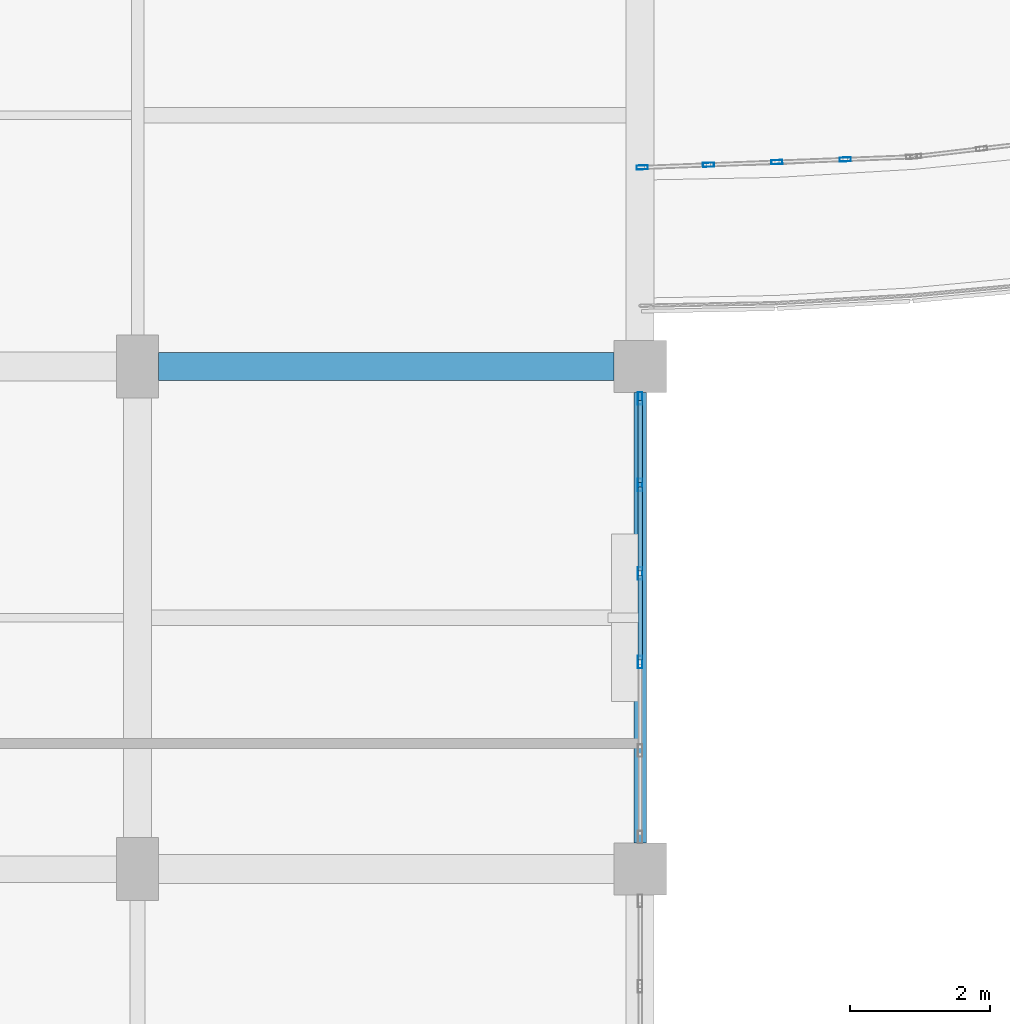
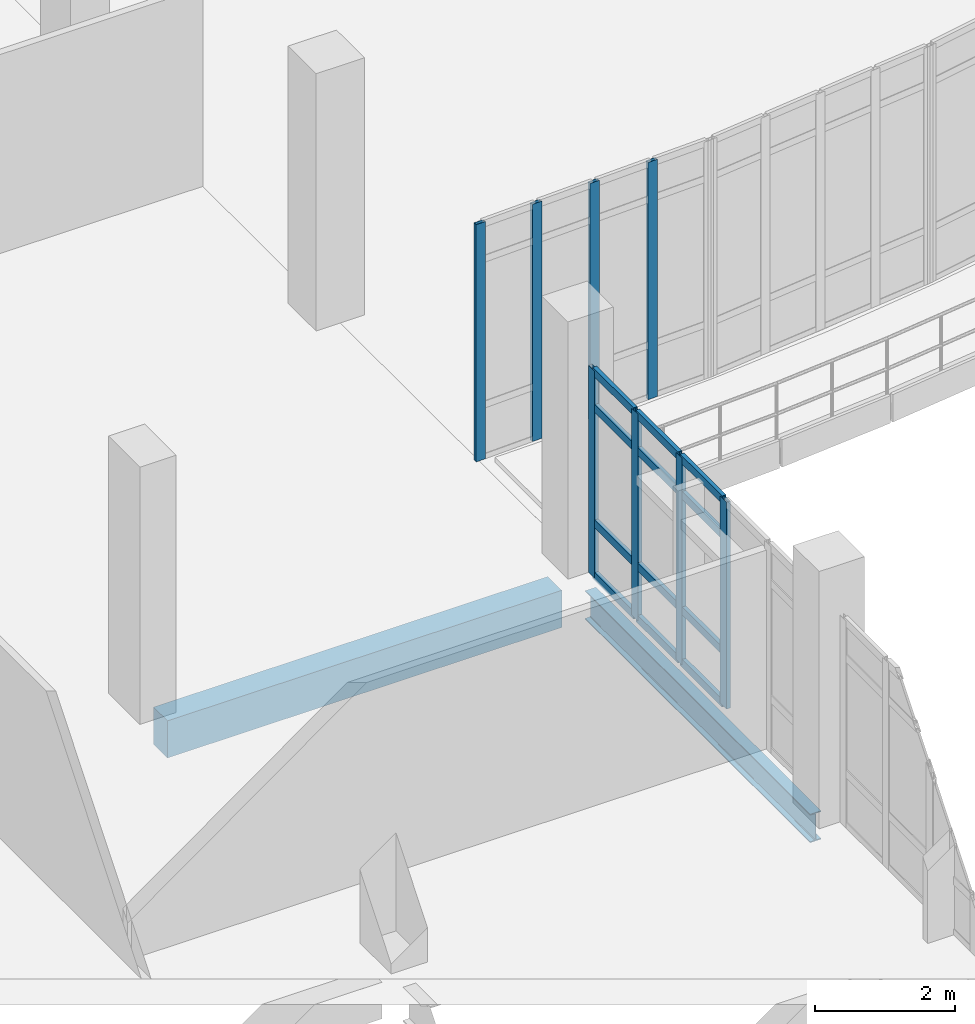
# One storey, part 21 of 134: 20 members, 2 beams, 2 elements without a shape of their own.
"""IFC4 building model written with IfcOpenShell, lengths in metres."""

from ifc_helpers import new_model, si_unit, direction, frame, origin, origin_2d, place, context, subcontext, project, spatial, rectangle, hollow_rectangle, i_section, extrude, material, material_profile, profile_set, type_object, element, aggregate, save


model = new_model("IFC4")

# Units and contexts
model_context = context("Model", 3, precision=1e-05, world=origin(), true_north=direction((0.0, 1.0)))
body_context = subcontext(model_context, "Body", "Model", "MODEL_VIEW")
ifc_project = project(units=[si_unit("LENGTHUNIT", "METRE"), si_unit("AREAUNIT", "SQUARE_METRE"), si_unit("VOLUMEUNIT", "CUBIC_METRE"), si_unit("PLANEANGLEUNIT", "RADIAN"), si_unit("MASSUNIT", "GRAM", prefix="KILO")], contexts=[model_context])

# Site, building, storey
site_placement = place(None, origin())
site = spatial("IfcSite", under=ifc_project, at=site_placement, CompositionType="ELEMENT")
building_placement = place(site_placement, origin())
building = spatial("IfcBuilding", under=site, at=building_placement, Name="Kalluvel Institute of Natural Sciences", CompositionType="ELEMENT")
storey_placement = place(building_placement, frame((0.0, 0.0, 5.39990234375)))
storey = spatial("IfcBuildingStorey", under=building, at=storey_placement, Name="L01", CompositionType="ELEMENT", Elevation=5.39990234375)

# Beams
ifc_material_1 = material(Name="Steel E350 Grade 350", Category="steel")
ifc_material_profile_1 = material_profile(ifc_material_1, i_section(OverallWidth=0.179931640625, OverallDepth=0.5, WebThickness=0.01025390625, FlangeThickness=0.01708984375, FilletRadius=0.01708984375, at=origin_2d()), Name="ISMB 500")
ifc_profile_set_1 = profile_set([ifc_material_profile_1], Name="Steel E350 Grade 350")
beam_type_1 = type_object("IfcBeamType", Name="BM-ISMB500", PredefinedType="BEAM", material=ifc_profile_set_1)
beam_1_placement = place(storey_placement, frame((35.60009765625, 43.175048828125, -0.5498046875), z_axis=(0.0, 1.0, 0.0), x_axis=(-1.0, 0.0, 0.0)))
element("IfcBeam", 1, at=beam_1_placement, inside=storey, type_object=beam_type_1, Name="L01 girder GIR-L01-NS-X356-Y428", PredefinedType="BEAM", context=body_context, shape_type="SweptSolid", body=[
    extrude(i_section(OverallWidth=0.179931640625, OverallDepth=0.5, WebThickness=0.01025390625, FlangeThickness=0.01708984375, FilletRadius=0.01708984375, at=origin_2d()), origin(), (0.0, 0.0, 1.0), 6.449951171875),
])
ifc_material_2 = material(Name="Concrete M40", Category="concrete")
ifc_material_profile_2 = material_profile(ifc_material_2, rectangle(XDim=0.39990234375, YDim=0.64990234375, at=origin_2d()), Name="RCB 400x650")
ifc_profile_set_2 = profile_set([ifc_material_profile_2], Name="Concrete M40")
beam_type_2 = type_object("IfcBeamType", Name="BM-RC400x650", PredefinedType="BEAM", material=ifc_profile_set_2)
beam_2_placement = place(storey_placement, frame((28.699951171875, 50.0, -0.625), z_axis=(1.0, 0.0, 0.0), x_axis=(0.0, 1.0, 0.0)))
element("IfcBeam", 2, at=beam_2_placement, inside=storey, type_object=beam_type_2, Name="L01 girder GIR-L01-EW-X284-Y500", PredefinedType="BEAM", context=body_context, shape_type="SweptSolid", body=[
    extrude(rectangle(XDim=0.39990234375, YDim=0.64990234375, at=origin_2d()), origin(), (0.0, 0.0, 1.0), 6.525146484375),
])

# Curtain wall, members
ifc_material_3 = material(Name="Aluminium AW-6063 T6", Category="aluminium")
curtain_wall_type_1 = type_object("IfcCurtainWallType", Name="CW-ATR-ARC", PredefinedType="USERDEFINED", material=ifc_material_3)
curtain_wall_1_placement = place(storey_placement, origin())
curtain_wall_1 = element("IfcCurtainWall", 3, at=curtain_wall_1_placement, inside=storey, type_object=curtain_wall_type_1, Name="L01 Gothic lancet curtain wall CWA-L01-X356-Y528", ObjectType="UNITISED LANCET FACADE", PredefinedType="USERDEFINED")
ifc_material_profile_3 = material_profile(ifc_material_3, hollow_rectangle(XDim=0.06005859375, YDim=0.159912109375, WallThickness=0.00390625, at=origin_2d()), Name="CWM 60x160")
ifc_profile_set_3 = profile_set([ifc_material_profile_3], Name="Aluminium AW-6063 T6")
member_type_1 = type_object("IfcMemberType", Name="CWM-60x160", PredefinedType="MULLION", material=ifc_profile_set_3)
member_1_placement = place(storey_placement, frame((35.6298828125, 52.85107421875, 0.0), z_axis=(0.0, 0.0, 1.0), x_axis=(-0.039265434438, 0.999228815466, 0.0)))
member_1 = element("IfcMember", 4, at=member_1_placement, type_object=member_type_1, Name="CW-05 mullion 1", PredefinedType="MULLION", context=body_context, shape_type="SweptSolid", body=[
    extrude(hollow_rectangle(XDim=0.06005859375, YDim=0.159912109375, WallThickness=0.00390625, at=origin_2d()), origin(), (0.0, 0.0, 1.0), 4.150146484375),
])
member_2_placement = place(storey_placement, frame((36.579833984375, 52.888427734375, 0.0), z_axis=(0.0, 0.0, 1.0), x_axis=(-0.039265434438, 0.999228815466, 0.0)))
member_2 = element("IfcMember", 5, at=member_2_placement, type_object=member_type_1, Name="CW-05 mullion 2", PredefinedType="MULLION", context=body_context, shape_type="SweptSolid", body=[
    extrude(hollow_rectangle(XDim=0.06005859375, YDim=0.159912109375, WallThickness=0.00390625, at=origin_2d()), origin(), (0.0, 0.0, 1.0), 4.150146484375),
])
member_3_placement = place(storey_placement, frame((37.5595703125, 52.927001953125, 0.0), z_axis=(0.0, 0.0, 1.0), x_axis=(-0.039265434438, 0.999228815466, 0.0)))
member_3 = element("IfcMember", 6, at=member_3_placement, type_object=member_type_1, Name="CW-05 mullion 3", PredefinedType="MULLION", context=body_context, shape_type="SweptSolid", body=[
    extrude(hollow_rectangle(XDim=0.06005859375, YDim=0.159912109375, WallThickness=0.00390625, at=origin_2d()), origin(), (0.0, 0.0, 1.0), 4.150146484375),
])
member_4_placement = place(storey_placement, frame((38.539306640625, 52.965576171875, 0.0), z_axis=(0.0, 0.0, 1.0), x_axis=(-0.039265434438, 0.999228815466, 0.0)))
member_4 = element("IfcMember", 7, at=member_4_placement, type_object=member_type_1, Name="CW-05 mullion 4", PredefinedType="MULLION", context=body_context, shape_type="SweptSolid", body=[
    extrude(hollow_rectangle(XDim=0.06005859375, YDim=0.159912109375, WallThickness=0.00390625, at=origin_2d()), origin(), (0.0, 0.0, 1.0), 4.150146484375),
])
aggregate(curtain_wall_1, [member_1, member_2, member_3, member_4])

curtain_wall_type_2 = type_object("IfcCurtainWallType", Name="CW-DRY-45", PredefinedType="USERDEFINED", material=ifc_material_3)
curtain_wall_2_placement = place(storey_placement, origin())
curtain_wall_2 = element("IfcCurtainWall", 8, at=curtain_wall_2_placement, inside=storey, type_object=curtain_wall_type_2, Name="L01 Gothic lancet curtain wall CWA-L01-X356-Y432", ObjectType="UNITISED LANCET FACADE", PredefinedType="USERDEFINED")
ifc_material_profile_4 = material_profile(ifc_material_3, hollow_rectangle(XDim=0.06494140625, YDim=0.179931640625, WallThickness=0.00439453125, at=origin_2d()), Name="CWM 65x180")
ifc_profile_set_4 = profile_set([ifc_material_profile_4], Name="Aluminium AW-6063 T6")
member_type_2 = type_object("IfcMemberType", Name="CWM-65x180", PredefinedType="MULLION", material=ifc_profile_set_4)
member_5_placement = place(storey_placement, frame((35.60009765625, 45.764892578125, 0.0), z_axis=(0.0, 0.0, 1.0), x_axis=(-1.0, 0.0, 0.0)))
member_5 = element("IfcMember", 9, at=member_5_placement, type_object=member_type_2, Name="CW-03 mullion 3", PredefinedType="MULLION", context=body_context, shape_type="SweptSolid", body=[
    extrude(hollow_rectangle(XDim=0.06494140625, YDim=0.179931640625, WallThickness=0.00439453125, at=origin_2d()), origin(), (0.0, 0.0, 1.0), 3.6201171875),
])
member_6_placement = place(storey_placement, frame((35.60009765625, 47.034912109375, 0.0), z_axis=(0.0, 0.0, 1.0), x_axis=(-1.0, 0.0, 0.0)))
member_6 = element("IfcMember", 10, at=member_6_placement, type_object=member_type_2, Name="CW-03 mullion 4", PredefinedType="MULLION", context=body_context, shape_type="SweptSolid", body=[
    extrude(hollow_rectangle(XDim=0.06494140625, YDim=0.179931640625, WallThickness=0.00439453125, at=origin_2d()), origin(), (0.0, 0.0, 1.0), 3.6201171875),
])
member_7_placement = place(storey_placement, frame((35.60009765625, 48.304931640625, 0.0), z_axis=(0.0, 0.0, 1.0), x_axis=(-1.0, 0.0, 0.0)))
member_7 = element("IfcMember", 11, at=member_7_placement, type_object=member_type_2, Name="CW-03 mullion 5", PredefinedType="MULLION", context=body_context, shape_type="SweptSolid", body=[
    extrude(hollow_rectangle(XDim=0.06494140625, YDim=0.179931640625, WallThickness=0.00439453125, at=origin_2d()), origin(), (0.0, 0.0, 1.0), 3.6201171875),
])
member_8_placement = place(storey_placement, frame((35.60009765625, 49.54248046875, 0.0), z_axis=(0.0, 0.0, 1.0), x_axis=(-1.0, 0.0, 0.0)))
member_8 = element("IfcMember", 12, at=member_8_placement, type_object=member_type_2, Name="CW-03 mullion 6", PredefinedType="MULLION", context=body_context, shape_type="SweptSolid", body=[
    extrude(hollow_rectangle(XDim=0.06494140625, YDim=0.179931640625, WallThickness=0.00439453125, at=origin_2d()), origin(), (0.0, 0.0, 1.0), 3.6201171875),
])
ifc_material_profile_5 = material_profile(ifc_material_3, hollow_rectangle(XDim=0.06494140625, YDim=0.139892578125, WallThickness=0.00439453125, at=origin_2d()), Name="CWT 65x140")
ifc_profile_set_5 = profile_set([ifc_material_profile_5], Name="Aluminium AW-6063 T6")
member_type_3 = type_object("IfcMemberType", Name="CWT-65x140", PredefinedType="USERDEFINED", material=ifc_profile_set_5)
member_9_placement = place(storey_placement, frame((35.60009765625, 45.797607421875, 0.03271484375), z_axis=(0.0, 1.0, 0.0), x_axis=(-1.0, 0.0, 0.0)))
member_9 = element("IfcMember", 13, at=member_9_placement, type_object=member_type_3, Name="CW-03 transom 3.1", ObjectType="TRANSOM", PredefinedType="USERDEFINED", context=body_context, shape_type="SweptSolid", body=[
    extrude(hollow_rectangle(XDim=0.06494140625, YDim=0.139892578125, WallThickness=0.00439453125, at=origin_2d()), origin(), (0.0, 0.0, 1.0), 1.204833984375),
])
member_10_placement = place(storey_placement, frame((35.60009765625, 45.797607421875, 0.9501953125), z_axis=(0.0, 1.0, 0.0), x_axis=(-1.0, 0.0, 0.0)))
member_10 = element("IfcMember", 14, at=member_10_placement, type_object=member_type_3, Name="CW-03 transom 3.2", ObjectType="TRANSOM", PredefinedType="USERDEFINED", context=body_context, shape_type="SweptSolid", body=[
    extrude(hollow_rectangle(XDim=0.06494140625, YDim=0.139892578125, WallThickness=0.00439453125, at=origin_2d()), origin(), (0.0, 0.0, 1.0), 1.204833984375),
])
member_11_placement = place(storey_placement, frame((35.60009765625, 45.797607421875, 2.97021484375), z_axis=(0.0, 1.0, 0.0), x_axis=(-1.0, 0.0, 0.0)))
member_11 = element("IfcMember", 15, at=member_11_placement, type_object=member_type_3, Name="CW-03 transom 3.3", ObjectType="TRANSOM", PredefinedType="USERDEFINED", context=body_context, shape_type="SweptSolid", body=[
    extrude(hollow_rectangle(XDim=0.06494140625, YDim=0.139892578125, WallThickness=0.00439453125, at=origin_2d()), origin(), (0.0, 0.0, 1.0), 1.204833984375),
])
member_12_placement = place(storey_placement, frame((35.60009765625, 45.797607421875, 3.587646484375), z_axis=(0.0, 1.0, 0.0), x_axis=(-1.0, 0.0, 0.0)))
member_12 = element("IfcMember", 16, at=member_12_placement, type_object=member_type_3, Name="CW-03 transom 3.4", ObjectType="TRANSOM", PredefinedType="USERDEFINED", context=body_context, shape_type="SweptSolid", body=[
    extrude(hollow_rectangle(XDim=0.06494140625, YDim=0.139892578125, WallThickness=0.00439453125, at=origin_2d()), origin(), (0.0, 0.0, 1.0), 1.204833984375),
])
member_13_placement = place(storey_placement, frame((35.60009765625, 47.0673828125, 0.03271484375), z_axis=(0.0, 1.0, 0.0), x_axis=(-1.0, 0.0, 0.0)))
member_13 = element("IfcMember", 17, at=member_13_placement, type_object=member_type_3, Name="CW-03 transom 4.1", ObjectType="TRANSOM", PredefinedType="USERDEFINED", context=body_context, shape_type="SweptSolid", body=[
    extrude(hollow_rectangle(XDim=0.06494140625, YDim=0.139892578125, WallThickness=0.00439453125, at=origin_2d()), origin(), (0.0, 0.0, 1.0), 1.205078125),
])
member_14_placement = place(storey_placement, frame((35.60009765625, 47.0673828125, 0.9501953125), z_axis=(0.0, 1.0, 0.0), x_axis=(-1.0, 0.0, 0.0)))
member_14 = element("IfcMember", 18, at=member_14_placement, type_object=member_type_3, Name="CW-03 transom 4.2", ObjectType="TRANSOM", PredefinedType="USERDEFINED", context=body_context, shape_type="SweptSolid", body=[
    extrude(hollow_rectangle(XDim=0.06494140625, YDim=0.139892578125, WallThickness=0.00439453125, at=origin_2d()), origin(), (0.0, 0.0, 1.0), 1.205078125),
])
member_15_placement = place(storey_placement, frame((35.60009765625, 47.0673828125, 2.97021484375), z_axis=(0.0, 1.0, 0.0), x_axis=(-1.0, 0.0, 0.0)))
member_15 = element("IfcMember", 19, at=member_15_placement, type_object=member_type_3, Name="CW-03 transom 4.3", ObjectType="TRANSOM", PredefinedType="USERDEFINED", context=body_context, shape_type="SweptSolid", body=[
    extrude(hollow_rectangle(XDim=0.06494140625, YDim=0.139892578125, WallThickness=0.00439453125, at=origin_2d()), origin(), (0.0, 0.0, 1.0), 1.205078125),
])
member_16_placement = place(storey_placement, frame((35.60009765625, 47.0673828125, 3.587646484375), z_axis=(0.0, 1.0, 0.0), x_axis=(-1.0, 0.0, 0.0)))
member_16 = element("IfcMember", 20, at=member_16_placement, type_object=member_type_3, Name="CW-03 transom 4.4", ObjectType="TRANSOM", PredefinedType="USERDEFINED", context=body_context, shape_type="SweptSolid", body=[
    extrude(hollow_rectangle(XDim=0.06494140625, YDim=0.139892578125, WallThickness=0.00439453125, at=origin_2d()), origin(), (0.0, 0.0, 1.0), 1.205078125),
])
member_17_placement = place(storey_placement, frame((35.60009765625, 48.33740234375, 0.03271484375), z_axis=(0.0, 1.0, 0.0), x_axis=(-1.0, 0.0, 0.0)))
member_17 = element("IfcMember", 21, at=member_17_placement, type_object=member_type_3, Name="CW-03 transom 5.1", ObjectType="TRANSOM", PredefinedType="USERDEFINED", context=body_context, shape_type="SweptSolid", body=[
    extrude(hollow_rectangle(XDim=0.06494140625, YDim=0.139892578125, WallThickness=0.00439453125, at=origin_2d()), origin(), (0.0, 0.0, 1.0), 1.172607421875),
])
member_18_placement = place(storey_placement, frame((35.60009765625, 48.33740234375, 0.9501953125), z_axis=(0.0, 1.0, 0.0), x_axis=(-1.0, 0.0, 0.0)))
member_18 = element("IfcMember", 22, at=member_18_placement, type_object=member_type_3, Name="CW-03 transom 5.2", ObjectType="TRANSOM", PredefinedType="USERDEFINED", context=body_context, shape_type="SweptSolid", body=[
    extrude(hollow_rectangle(XDim=0.06494140625, YDim=0.139892578125, WallThickness=0.00439453125, at=origin_2d()), origin(), (0.0, 0.0, 1.0), 1.172607421875),
])
member_19_placement = place(storey_placement, frame((35.60009765625, 48.33740234375, 2.97021484375), z_axis=(0.0, 1.0, 0.0), x_axis=(-1.0, 0.0, 0.0)))
member_19 = element("IfcMember", 23, at=member_19_placement, type_object=member_type_3, Name="CW-03 transom 5.3", ObjectType="TRANSOM", PredefinedType="USERDEFINED", context=body_context, shape_type="SweptSolid", body=[
    extrude(hollow_rectangle(XDim=0.06494140625, YDim=0.139892578125, WallThickness=0.00439453125, at=origin_2d()), origin(), (0.0, 0.0, 1.0), 1.172607421875),
])
member_20_placement = place(storey_placement, frame((35.60009765625, 48.33740234375, 3.587646484375), z_axis=(0.0, 1.0, 0.0), x_axis=(-1.0, 0.0, 0.0)))
member_20 = element("IfcMember", 24, at=member_20_placement, type_object=member_type_3, Name="CW-03 transom 5.4", ObjectType="TRANSOM", PredefinedType="USERDEFINED", context=body_context, shape_type="SweptSolid", body=[
    extrude(hollow_rectangle(XDim=0.06494140625, YDim=0.139892578125, WallThickness=0.00439453125, at=origin_2d()), origin(), (0.0, 0.0, 1.0), 1.172607421875),
])
aggregate(curtain_wall_2, [member_5, member_6, member_7, member_8, member_9, member_10, member_11, member_12, member_13, member_14, member_15, member_16, member_17, member_18, member_19, member_20])

save(model, "model.ifc")
